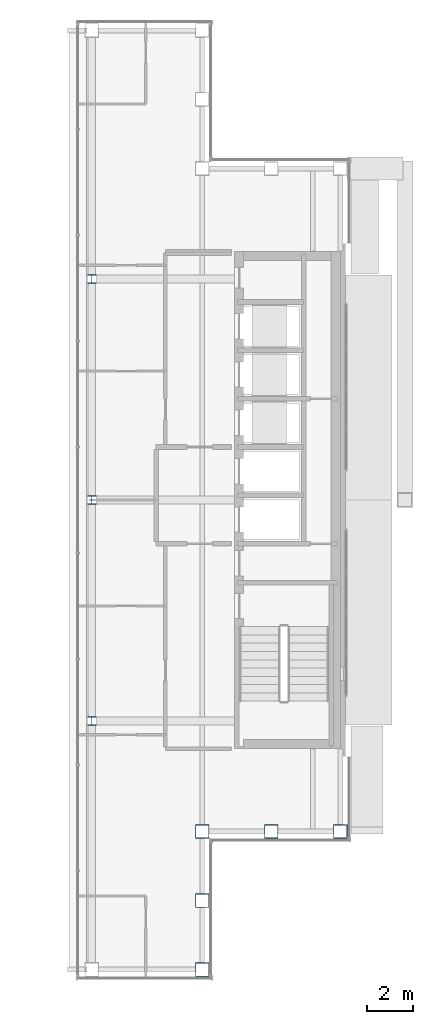
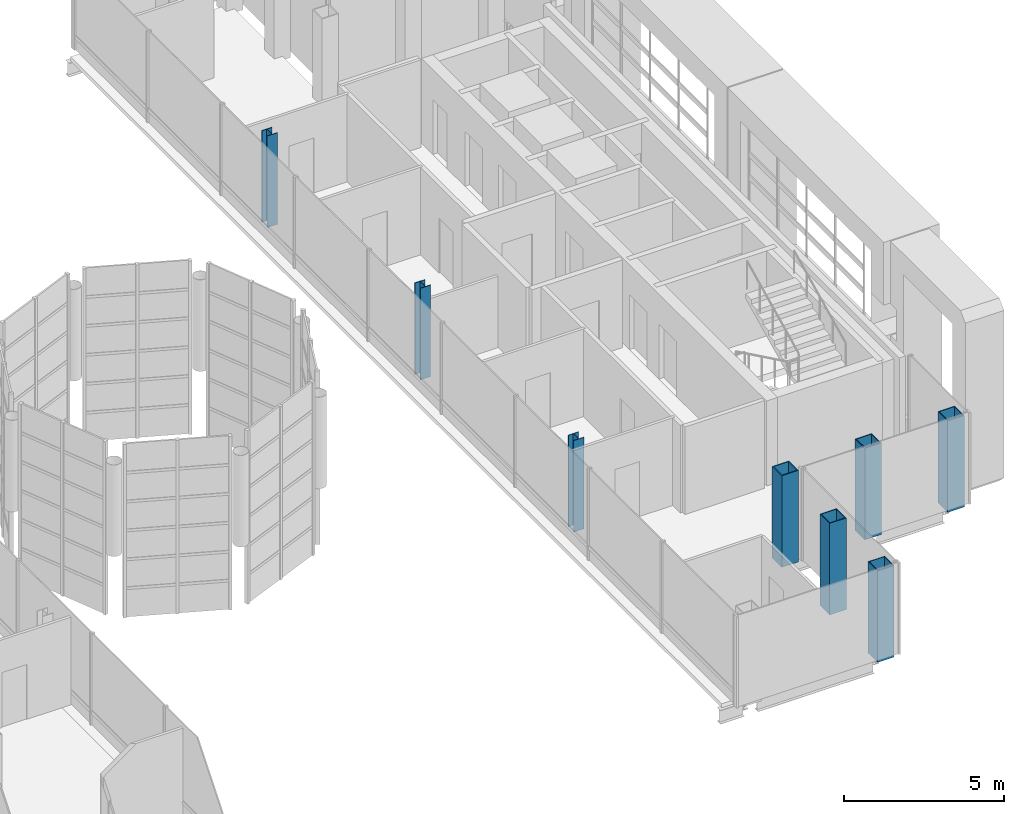
# One storey, part 2 of 21: 8 columns.
"""IFC4 building model written with IfcOpenShell, lengths in metres."""

from ifc_helpers import new_model, si_unit, direction, frame, origin, origin_2d, place, context, subcontext, project, spatial, hollow_rectangle, i_section, extrude, material, material_profile, profile_set, type_object, element, save


model = new_model("IFC4")

# Units and contexts
model_context = context("Model", 3, precision=1e-05, world=origin(), true_north=direction((0.0, 1.0)))
body_context = subcontext(model_context, "Body", "Model", "MODEL_VIEW")
ifc_project = project(units=[si_unit("LENGTHUNIT", "METRE"), si_unit("AREAUNIT", "SQUARE_METRE"), si_unit("VOLUMEUNIT", "CUBIC_METRE"), si_unit("PLANEANGLEUNIT", "RADIAN"), si_unit("MASSUNIT", "GRAM", prefix="KILO")], contexts=[model_context])

# Site, building, storey
site_placement = place(None, origin())
site = spatial("IfcSite", under=ifc_project, at=site_placement, CompositionType="ELEMENT")
building_placement = place(site_placement, origin())
building = spatial("IfcBuilding", under=site, at=building_placement, Name="Cobrizo Arcos Hotel Tower", CompositionType="ELEMENT")
storey_placement = place(building_placement, frame((0.0, 0.0, 276.0)))
storey = spatial("IfcBuildingStorey", under=building, at=storey_placement, Name="L73", CompositionType="ELEMENT", Elevation=276.0)

# Columns
ifc_material_1 = material(Name="Steel ASTM A572 Grade 50", Category="steel")
ifc_material_profile_1 = material_profile(ifc_material_1, hollow_rectangle(XDim=0.60009765625, YDim=0.60009765625, WallThickness=0.030029296875, at=origin_2d()), Name="BOX 600X600X30")
ifc_profile_set_1 = profile_set([ifc_material_profile_1], Name="Steel ASTM A572 Grade 50")
column_type_1 = type_object("IfcColumnType", Name="BOX 600X600X30 column", PredefinedType="COLUMN", material=ifc_profile_set_1)
for number, where, z_axis, x_axis, name in (
    (1, (14.39990234375, -20.39990234375, -0.14990234375), (0.0, 0.0, 1.0), (1.0, 0.0, 0.0), "Perimeter column C12, L73, no. 07"),
    (2, (20.39990234375, -14.39990234375, -0.14990234375), (0.0, 0.0, 1.0), (1.0, 0.0, 0.0), "Perimeter column C12, L73, no. 08"),
    (3, (14.39990234375, -14.39990234375, -0.14990234375), (0.0, 0.0, 1.0), (1.0, 0.0, 0.0), "Perimeter column C12, L73, no. 18"),
    (4, (14.39990234375, -17.39990234375, -0.14990234375), (0.0, 0.0, 1.0), (1.0, 0.0, 0.0), "Perimeter column C12, L73, no. 19"),
    (5, (17.39990234375, -14.39990234375, -0.14990234375), (0.0, 0.0, 1.0), (1.0, 0.0, 0.0), "Perimeter column C12, L73, no. 20"),
):
    element("IfcColumn", number, at=place(storey_placement, frame(where, z_axis=z_axis, x_axis=x_axis)), inside=storey, type_object=column_type_1, Name=name, PredefinedType="COLUMN", context=body_context, shape_type="SweptSolid", body=[
        extrude(hollow_rectangle(XDim=0.60009765625, YDim=0.60009765625, WallThickness=0.030029296875, at=origin_2d()), origin(), (0.0, 0.0, 1.0), 3.5),
    ])
ifc_material_2 = material(Name="Steel ASTM A992 Grade 50", Category="steel")
ifc_material_profile_2 = material_profile(ifc_material_2, i_section(OverallWidth=0.368408203125, OverallDepth=0.355712890625, WebThickness=0.01123046875, FlangeThickness=0.01806640625, at=origin_2d()), Name="W14X90")
ifc_profile_set_2 = profile_set([ifc_material_profile_2], Name="Steel ASTM A992 Grade 50")
column_type_2 = type_object("IfcColumnType", Name="W14X90 interior column", PredefinedType="COLUMN", material=ifc_profile_set_2)
for number, where, z_axis, x_axis, name in (
    (6, (9.60009765625, -9.60009765625, -0.14990234375), (0.0, 0.0, 1.0), (1.0, 0.0, 0.0), "Interior column C13, L73, no. 03"),
    (7, (9.60009765625, 0.0, -0.14990234375), (0.0, 0.0, 1.0), (1.0, 0.0, 0.0), "Interior column C13, L73, no. 04"),
    (8, (9.60009765625, 9.60009765625, -0.14990234375), (0.0, 0.0, 1.0), (1.0, 0.0, 0.0), "Interior column C13, L73, no. 05"),
):
    element("IfcColumn", number, at=place(storey_placement, frame(where, z_axis=z_axis, x_axis=x_axis)), inside=storey, type_object=column_type_2, Name=name, PredefinedType="COLUMN", context=body_context, shape_type="SweptSolid", body=[
        extrude(i_section(OverallWidth=0.368408203125, OverallDepth=0.355712890625, WebThickness=0.01123046875, FlangeThickness=0.01806640625, at=origin_2d()), origin(), (0.0, 0.0, 1.0), 3.5),
    ])

save(model, "model.ifc")
